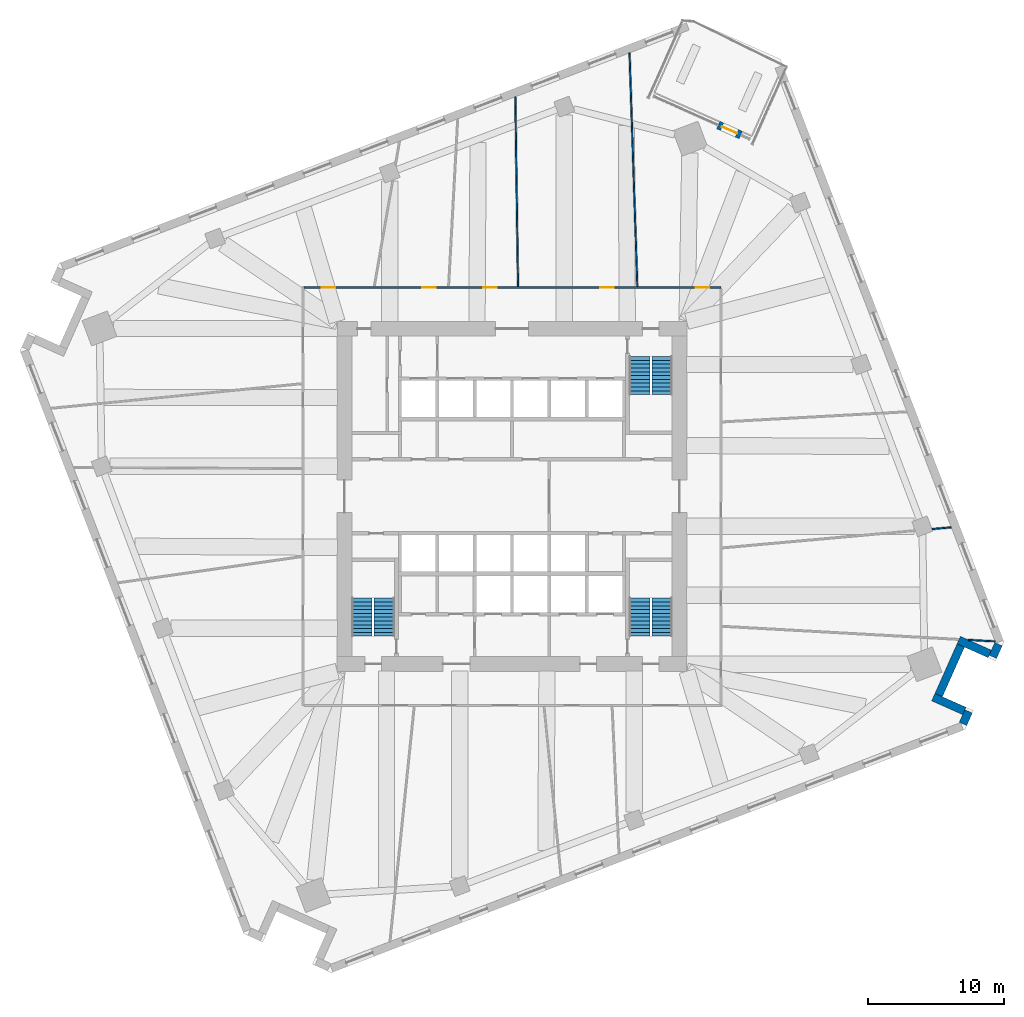
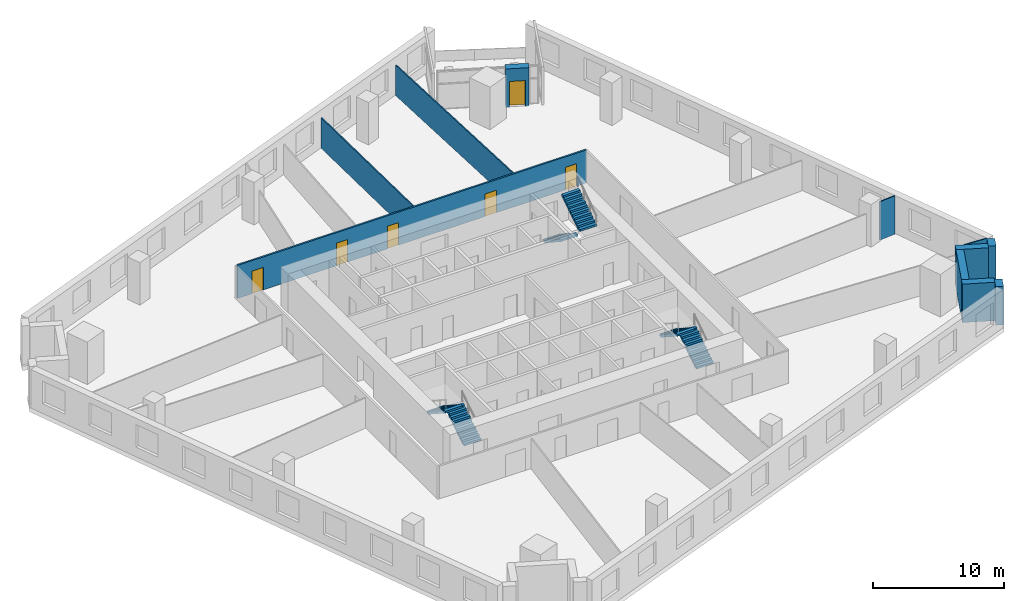
# One storey, part 12 of 14: 11 walls, 6 doors, 6 stair flights, 6 openings, 3 elements without a shape of their own.
"""IFC4 building model written with IfcOpenShell, lengths in metres."""

from ifc_helpers import new_model, si_unit, direction, frame, frame_2d, origin, place, context, subcontext, project, spatial, polyline, rectangle, outline, extrude, material, layer, layer_set, type_object, element, fill, aggregate, save


model = new_model("IFC4")

# Units and contexts
model_context = context("Model", 3, precision=1e-05, world=origin(), true_north=direction((0.0, 1.0)))
body_context = subcontext(model_context, "Body", "Model", "MODEL_VIEW")
ifc_project = project(units=[si_unit("LENGTHUNIT", "METRE"), si_unit("AREAUNIT", "SQUARE_METRE"), si_unit("VOLUMEUNIT", "CUBIC_METRE"), si_unit("PLANEANGLEUNIT", "RADIAN"), si_unit("MASSUNIT", "GRAM", prefix="KILO")], contexts=[model_context])

# Site, building, storey
site_placement = place(None, origin())
site = spatial("IfcSite", under=ifc_project, at=site_placement, CompositionType="ELEMENT")
building_placement = place(site_placement, origin())
building = spatial("IfcBuilding", under=site, at=building_placement, Name="Dilmun Exchange Tower", CompositionType="ELEMENT")
storey_placement = place(building_placement, frame((0.0, 0.0, 106.10009765625)))
storey = spatial("IfcBuildingStorey", under=building, at=storey_placement, Name="L24", CompositionType="ELEMENT", Elevation=106.10009765625)

# Wall, openings, doors
ifc_material_1 = material(Name="Corridor wall 150")
ifc_layer_1 = layer(ifc_material_1, 0.14990234375)
ifc_layer_set_1 = layer_set([ifc_layer_1], Name="Corridor wall 150")
wall_type_1 = type_object("IfcWallType", Name="Corridor wall 150", PredefinedType="PARTITIONING", material=ifc_layer_set_1)
wall_1_placement = place(storey_placement, frame((-15.324951171875, 15.39990234375, 0.0), z_axis=(0.0, 0.0, 1.0), x_axis=(1.0, 0.0, 0.0)))
wall_1 = element("IfcWall", 1, at=wall_1_placement, inside=storey, type_object=wall_type_1, Name="Corridor wall", PredefinedType="PARTITIONING", context=body_context, shape_type="SweptSolid", body=[
    extrude(rectangle(XDim=30.724853515625, YDim=0.14990234375, at=frame_2d((15.3623046875, 0.0))), origin(), (0.0, 0.0, 1.0), 3.079833984375),
])
opening_1_placement = place(wall_1_placement, frame((1.300048828125, 0.0, 0.0)))
opening_1 = element("IfcOpeningElement", 2, at=opening_1_placement, cuts=wall_1, Name="Opening TF23-D04", PredefinedType="OPENING", context=body_context, shape_type="SweptSolid", body=[
    extrude(rectangle(XDim=1.0, YDim=2.10009765625, at=frame_2d((0.5, 1.050048828125))), frame((0.0, 0.0849609375, 0.0), z_axis=(0.0, -1.0, 0.0), x_axis=(1.0, 0.0, 0.0)), (0.0, 0.0, 1.0), 0.169921875),
])
opening_2_placement = place(wall_1_placement, frame((8.717041015625, 0.0, 0.0)))
opening_2 = element("IfcOpeningElement", 3, at=opening_2_placement, cuts=wall_1, Name="Opening TF23-D07", PredefinedType="OPENING", context=body_context, shape_type="SweptSolid", body=[
    extrude(rectangle(XDim=1.0, YDim=2.10009765625, at=frame_2d((0.5, 1.050048828125))), frame((0.0, 0.0849609375, 0.0), z_axis=(0.0, -1.0, 0.0), x_axis=(1.0, 0.0, 0.0)), (0.0, 0.0, 1.0), 0.169921875),
])
opening_3_placement = place(wall_1_placement, frame((13.198486328125, 0.0, 0.0)))
opening_3 = element("IfcOpeningElement", 4, at=opening_3_placement, cuts=wall_1, Name="Opening TF23-D10", PredefinedType="OPENING", context=body_context, shape_type="SweptSolid", body=[
    extrude(rectangle(XDim=1.0, YDim=2.10009765625, at=frame_2d((0.5, 1.050048828125))), frame((0.0, 0.0849609375, 0.0), z_axis=(0.0, -1.0, 0.0), x_axis=(1.0, 0.0, 0.0)), (0.0, 0.0, 1.0), 0.169921875),
])
opening_4_placement = place(wall_1_placement, frame((21.818115234375, 0.0, 0.0)))
opening_4 = element("IfcOpeningElement", 5, at=opening_4_placement, cuts=wall_1, Name="Opening TF23-D11", PredefinedType="OPENING", context=body_context, shape_type="SweptSolid", body=[
    extrude(rectangle(XDim=1.0, YDim=2.10009765625, at=frame_2d((0.5, 1.050048828125))), frame((0.0, 0.0849609375, 0.0), z_axis=(0.0, -1.0, 0.0), x_axis=(1.0, 0.0, 0.0)), (0.0, 0.0, 1.0), 0.169921875),
])
opening_5_placement = place(wall_1_placement, frame((28.86083984375, 0.0, 0.0)))
opening_5 = element("IfcOpeningElement", 6, at=opening_5_placement, cuts=wall_1, Name="Opening TF23-D14", PredefinedType="OPENING", context=body_context, shape_type="SweptSolid", body=[
    extrude(rectangle(XDim=1.0, YDim=2.10009765625, at=frame_2d((0.5, 1.050048828125))), frame((0.0, 0.0849609375, 0.0), z_axis=(0.0, -1.0, 0.0), x_axis=(1.0, 0.0, 0.0)), (0.0, 0.0, 1.0), 0.169921875),
])
ifc_material_2 = material(Name="Fire door 1000 x 2100")
door_type_1 = type_object("IfcDoorType", Name="Fire door 1000 x 2100", OperationType="NOTDEFINED", PredefinedType="DOOR", material=ifc_material_2)
door_1_placement = place(opening_1_placement, origin())
door_1 = element("IfcDoor", 7, at=door_1_placement, inside=storey, type_object=door_type_1, Name="Door TF23-D04", OperationType="SINGLE_SWING_RIGHT", OverallHeight=2.10009765625, OverallWidth=1.0, PredefinedType="DOOR", context=body_context, shape_type="SweptSolid", body=[
    extrude(rectangle(XDim=1.0, YDim=2.10009765625, at=frame_2d((0.5, 1.050048828125))), frame((0.0, 0.02490234375, 0.0), z_axis=(0.0, -1.0, 0.0), x_axis=(1.0, 0.0, 0.0)), (0.0, 0.0, 1.0), 0.050048828125),
])
fill(opening_1, door_1)
door_2_placement = place(opening_2_placement, origin())
door_2 = element("IfcDoor", 8, at=door_2_placement, inside=storey, type_object=door_type_1, Name="Door TF23-D07", OperationType="SINGLE_SWING_LEFT", OverallHeight=2.10009765625, OverallWidth=1.0, PredefinedType="DOOR", context=body_context, shape_type="SweptSolid", body=[
    extrude(rectangle(XDim=1.0, YDim=2.10009765625, at=frame_2d((0.5, 1.050048828125))), frame((0.0, 0.02490234375, 0.0), z_axis=(0.0, -1.0, 0.0), x_axis=(1.0, 0.0, 0.0)), (0.0, 0.0, 1.0), 0.050048828125),
])
fill(opening_2, door_2)
door_3_placement = place(opening_3_placement, origin())
door_3 = element("IfcDoor", 9, at=door_3_placement, inside=storey, type_object=door_type_1, Name="Door TF23-D10", OperationType="SINGLE_SWING_LEFT", OverallHeight=2.10009765625, OverallWidth=1.0, PredefinedType="DOOR", context=body_context, shape_type="SweptSolid", body=[
    extrude(rectangle(XDim=1.0, YDim=2.10009765625, at=frame_2d((0.5, 1.050048828125))), frame((0.0, 0.02490234375, 0.0), z_axis=(0.0, -1.0, 0.0), x_axis=(1.0, 0.0, 0.0)), (0.0, 0.0, 1.0), 0.050048828125),
])
fill(opening_3, door_3)
door_4_placement = place(opening_4_placement, origin())
door_4 = element("IfcDoor", 10, at=door_4_placement, inside=storey, type_object=door_type_1, Name="Door TF23-D11", OperationType="SINGLE_SWING_LEFT", OverallHeight=2.10009765625, OverallWidth=1.0, PredefinedType="DOOR", context=body_context, shape_type="SweptSolid", body=[
    extrude(rectangle(XDim=1.0, YDim=2.10009765625, at=frame_2d((0.5, 1.050048828125))), frame((0.0, 0.02490234375, 0.0), z_axis=(0.0, -1.0, 0.0), x_axis=(1.0, 0.0, 0.0)), (0.0, 0.0, 1.0), 0.050048828125),
])
fill(opening_4, door_4)
door_5_placement = place(opening_5_placement, origin())
door_5 = element("IfcDoor", 11, at=door_5_placement, inside=storey, type_object=door_type_1, Name="Door TF23-D14", OperationType="SINGLE_SWING_LEFT", OverallHeight=2.10009765625, OverallWidth=1.0, PredefinedType="DOOR", context=body_context, shape_type="SweptSolid", body=[
    extrude(rectangle(XDim=1.0, YDim=2.10009765625, at=frame_2d((0.5, 1.050048828125))), frame((0.0, 0.02490234375, 0.0), z_axis=(0.0, -1.0, 0.0), x_axis=(1.0, 0.0, 0.0)), (0.0, 0.0, 1.0), 0.050048828125),
])
fill(opening_5, door_5)

# Walls
ifc_material_3 = material(Name="Partition 100")
ifc_layer_2 = layer(ifc_material_3, 0.10009765625)
ifc_layer_set_2 = layer_set([ifc_layer_2], Name="Partition 100")
wall_type_2 = type_object("IfcWallType", Name="Partition 100", PredefinedType="PARTITIONING", material=ifc_layer_set_2)
wall_2_placement = place(storey_placement, frame((0.244140625, 29.44091796875, 0.0), z_axis=(0.0, 0.0, 1.0), x_axis=(0.014228831068, -0.999898765059, 0.0)))
element("IfcWall", 12, at=wall_2_placement, inside=storey, type_object=wall_type_2, Name="Partition", PredefinedType="PARTITIONING", context=body_context, shape_type="SweptSolid", body=[
    extrude(rectangle(XDim=13.966796875, YDim=0.10009765625, at=frame_2d((6.9833984375, 0.0))), origin(), (0.0, 0.0, 1.0), 2.829833984375),
])
wall_3_placement = place(storey_placement, frame((8.658203125, 32.6708984375, 0.0), z_axis=(0.0, 0.0, 1.0), x_axis=(0.033491076988, -0.99943901653, 0.0)))
element("IfcWall", 13, at=wall_3_placement, inside=storey, type_object=wall_type_2, Name="Partition", PredefinedType="PARTITIONING", context=body_context, shape_type="SweptSolid", body=[
    extrude(rectangle(XDim=17.203857421875, YDim=0.10009765625, at=frame_2d((8.60205078125, 0.0))), origin(), (0.0, 0.0, 1.0), 2.829833984375),
])
wall_4_placement = place(storey_placement, frame((30.947265625, -2.408203125, 0.0), z_axis=(0.0, 0.0, 1.0), x_axis=(0.995999359609, 0.089360369615, 0.0)))
element("IfcWall", 14, at=wall_4_placement, inside=storey, type_object=wall_type_2, Name="Partition", PredefinedType="PARTITIONING", context=body_context, shape_type="SweptSolid", body=[
    extrude(rectangle(XDim=1.42333984375, YDim=0.10009765625, at=frame_2d((0.711669921875, 0.0))), origin(), (0.0, 0.0, 1.0), 3.579833984375),
])
wall_5_placement = place(storey_placement, frame((33.628173828125, -10.575927734375, 0.0), z_axis=(0.0, 0.0, 1.0), x_axis=(0.998471795395, -0.055263675243, 0.0)))
element("IfcWall", 15, at=wall_5_placement, inside=storey, type_object=wall_type_2, Name="Partition", PredefinedType="PARTITIONING", context=body_context, shape_type="SweptSolid", body=[
    extrude(rectangle(XDim=1.9658203125, YDim=0.10009765625, at=frame_2d((0.98291015625, 0.0))), origin(), (0.0, 0.0, 1.0), 3.579833984375),
])
ifc_material_4 = material(Name="Precast concrete C50/60", Category="concrete")
ifc_layer_3 = layer(ifc_material_4, 0.60009765625)
ifc_layer_set_3 = layer_set([ifc_layer_3], Name="Precast concrete C50/60")
wall_type_3 = type_object("IfcWallType", Name="Precast stone-clad wall 600", PredefinedType="STANDARD", material=ifc_layer_set_3)
wall_6_placement = place(storey_placement, frame((33.231689453125, -16.7626953125, 0.0), z_axis=(0.0, 0.0, 1.0), x_axis=(0.406877680738, 0.913482650583, 0.0)))
element("IfcWall", 16, at=wall_6_placement, inside=storey, type_object=wall_type_3, Name="Facade wall L24-16", PredefinedType="STANDARD", context=body_context, shape_type="SweptSolid", body=[
    extrude(rectangle(XDim=1.010986328125, YDim=0.60009765625, at=frame_2d((0.50537109375, 0.0))), origin(), (0.0, 0.0, 1.0), 3.579833984375),
])
wall_7_placement = place(storey_placement, frame((33.328125, -15.808349609375, 0.0), z_axis=(0.0, 0.0, 1.0), x_axis=(-0.913533450149, 0.406763611276, 0.0)))
element("IfcWall", 17, at=wall_7_placement, inside=storey, type_object=wall_type_3, Name="Facade wall L24-17", PredefinedType="STANDARD", context=body_context, shape_type="SweptSolid", body=[
    extrude(rectangle(XDim=2.499755859375, YDim=0.60009765625, at=frame_2d((1.25, 0.0))), origin(), (0.0, 0.0, 1.0), 3.579833984375),
])
wall_8_placement = place(storey_placement, frame((31.4404296875, -14.639404296875, 0.0), z_axis=(0.0, 0.0, 1.0), x_axis=(0.406727323635, 0.913549606868, 0.0)))
element("IfcWall", 18, at=wall_8_placement, inside=storey, type_object=wall_type_3, Name="Facade wall L24-18", PredefinedType="STANDARD", context=body_context, shape_type="SweptSolid", body=[
    extrude(rectangle(XDim=4.0, YDim=0.60009765625, at=frame_2d((2.0, 0.0))), origin(), (0.0, 0.0, 1.0), 3.579833984375),
])
wall_9_placement = place(storey_placement, frame((32.915283203125, -10.589111328125, 0.0), z_axis=(0.0, 0.0, 1.0), x_axis=(0.913549606868, -0.406727323635, 0.0)))
element("IfcWall", 19, at=wall_9_placement, inside=storey, type_object=wall_type_3, Name="Facade wall L24-19", PredefinedType="STANDARD", context=body_context, shape_type="SweptSolid", body=[
    extrude(rectangle(XDim=2.5, YDim=0.60009765625, at=frame_2d((1.25, 0.0))), origin(), (0.0, 0.0, 1.0), 3.579833984375),
])
wall_10_placement = place(storey_placement, frame((35.4326171875, -11.8193359375, 0.0), z_axis=(0.0, 0.0, 1.0), x_axis=(0.406787949875, 0.913522612657, 0.0)))
element("IfcWall", 20, at=wall_10_placement, inside=storey, type_object=wall_type_3, Name="Facade wall L24-20", PredefinedType="STANDARD", context=body_context, shape_type="SweptSolid", body=[
    extrude(rectangle(XDim=1.01123046875, YDim=0.60009765625, at=frame_2d((0.505615234375, 0.0))), origin(), (0.0, 0.0, 1.0), 3.579833984375),
])

# Wall, opening, door
wall_11_placement = place(storey_placement, frame((16.850341796875, 26.625, 0.0), z_axis=(0.0, 0.0, 1.0), x_axis=(-0.913598891005, 0.406616608556, 0.0)))
wall_11 = element("IfcWall", 21, at=wall_11_placement, inside=storey, type_object=wall_type_3, Name="Facade wall L24-01-D", PredefinedType="STANDARD", context=body_context, shape_type="SweptSolid", body=[
    extrude(rectangle(XDim=1.800048828125, YDim=0.60009765625, at=frame_2d((0.89990234375, 0.0))), origin(), (0.0, 0.0, 1.0), 3.579833984375),
])
opening_6_placement = place(wall_11_placement, frame((0.300048828125, 0.0, 0.0)))
opening_6 = element("IfcOpeningElement", 22, at=opening_6_placement, cuts=wall_11, Name="Opening GD-1", PredefinedType="OPENING", context=body_context, shape_type="SweptSolid", body=[
    extrude(rectangle(XDim=1.199951171875, YDim=2.39990234375, at=frame_2d((0.60009765625, 1.199951171875))), frame((0.0, 0.31005859375, 0.0), z_axis=(0.0, -1.0, 0.0), x_axis=(1.0, 0.0, 0.0)), (0.0, 0.0, 1.0), 0.6201171875),
])
ifc_material_5 = material(Name="Clear low-emissivity glass in aluminium frame", Category="aluminium")
door_type_2 = type_object("IfcDoorType", Name="Glazed garden door 1200 x 2400", OperationType="SINGLE_SWING_LEFT", PredefinedType="DOOR", material=ifc_material_5)
door_6_placement = place(opening_6_placement, origin())
door_6 = element("IfcDoor", 23, at=door_6_placement, inside=storey, type_object=door_type_2, Name="Garden terrace door", OperationType="SINGLE_SWING_LEFT", OverallHeight=2.39990234375, OverallWidth=1.199951171875, PredefinedType="DOOR", context=body_context, shape_type="SweptSolid", body=[
    extrude(rectangle(XDim=1.199951171875, YDim=2.39990234375, at=frame_2d((0.60009765625, 1.199951171875))), frame((0.0, 0.02490234375, 0.0), z_axis=(0.0, -1.0, 0.0), x_axis=(1.0, 0.0, 0.0)), (0.0, 0.0, 1.0), 0.050048828125),
])
fill(opening_6, door_6)

# Stair, stair flights
ifc_material_6 = material(Name="Concrete C40/50", Category="concrete")
stair_type = type_object("IfcStairType", Name="Exit stair 1500 half-turn", PredefinedType="HALF_TURN_STAIR", material=ifc_material_6)
stair_1_placement = place(storey_placement, origin())
stair_1 = element("IfcStair", 24, at=stair_1_placement, inside=storey, type_object=stair_type, Name="L24 Protected exit stair ST1", PredefinedType="HALF_TURN_STAIR")
stair_flight_type = type_object("IfcStairFlightType", Name="Exit stair flight 1500", PredefinedType="STRAIGHT", material=ifc_material_6)
stair_flight_1_placement = place(storey_placement, frame((9.39990234375, 10.300048828125, 0.0), z_axis=(0.0, 0.0, 1.0), x_axis=(0.0, -1.0, 0.0)))
stair_flight_1 = element("IfcStairFlight", 25, at=stair_flight_1_placement, type_object=stair_flight_type, Name="ST1 flight 1", NumberOfRisers=11, NumberOfTreads=10, PredefinedType="STRAIGHT", RiserHeight=0.181818182, TreadLength=0.28, context=body_context, shape_type="SweptSolid", body=[
    extrude(outline(polyline([(0.0, 0.0), (0.0, 0.181884765625), (0.280029296875, 0.181884765625), (0.280029296875, 0.363525390625), (0.56005859375, 0.363525390625), (0.56005859375, 0.54541015625), (0.840087890625, 0.54541015625), (0.840087890625, 0.727294921875), (1.1201171875, 0.727294921875), (1.1201171875, 0.9091796875), (1.39990234375, 0.9091796875), (1.39990234375, 1.0908203125), (1.679931640625, 1.0908203125), (1.679931640625, 1.272705078125), (1.9599609375, 1.272705078125), (1.9599609375, 1.45458984375), (2.239990234375, 1.45458984375), (2.239990234375, 1.636474609375), (2.52001953125, 1.636474609375), (2.52001953125, 1.818115234375), (2.800048828125, 1.818115234375), (2.800048828125, 2.0), (2.800048828125, 1.639404296875), (0.275146484375, 0.0), (0.0, 0.0)])), frame((0.0, 0.75, 0.0), z_axis=(0.0, -1.0, 0.0), x_axis=(1.0, 0.0, 0.0)), (0.0, 0.0, 1.0), 1.5),
])
stair_flight_2_placement = place(storey_placement, frame((11.050048828125, 7.5, 2.0), z_axis=(0.0, 0.0, 1.0), x_axis=(0.0, 1.0, 0.0)))
stair_flight_2 = element("IfcStairFlight", 26, at=stair_flight_2_placement, type_object=stair_flight_type, Name="ST1 flight 2", NumberOfRisers=11, NumberOfTreads=10, PredefinedType="STRAIGHT", RiserHeight=0.181818182, TreadLength=0.28, context=body_context, shape_type="SweptSolid", body=[
    extrude(outline(polyline([(0.0, 0.0), (0.0, 0.181884765625), (0.280029296875, 0.181884765625), (0.280029296875, 0.363525390625), (0.56005859375, 0.363525390625), (0.56005859375, 0.54541015625), (0.840087890625, 0.54541015625), (0.840087890625, 0.727294921875), (1.1201171875, 0.727294921875), (1.1201171875, 0.9091796875), (1.39990234375, 0.9091796875), (1.39990234375, 1.0908203125), (1.679931640625, 1.0908203125), (1.679931640625, 1.272705078125), (1.9599609375, 1.272705078125), (1.9599609375, 1.45458984375), (2.239990234375, 1.45458984375), (2.239990234375, 1.636474609375), (2.52001953125, 1.636474609375), (2.52001953125, 1.818115234375), (2.800048828125, 1.818115234375), (2.800048828125, 2.0), (2.800048828125, 1.639404296875), (0.275146484375, 0.0), (0.0, 0.0)])), frame((0.0, 0.75, 0.0), z_axis=(0.0, -1.0, 0.0), x_axis=(1.0, 0.0, 0.0)), (0.0, 0.0, 1.0), 1.5),
])
aggregate(stair_1, [stair_flight_1, stair_flight_2])

stair_2_placement = place(storey_placement, origin())
stair_2 = element("IfcStair", 27, at=stair_2_placement, inside=storey, type_object=stair_type, Name="L24 Protected exit stair ST2", PredefinedType="HALF_TURN_STAIR")
stair_flight_3_placement = place(storey_placement, frame((-9.39990234375, -10.300048828125, 0.0), z_axis=(0.0, 0.0, 1.0), x_axis=(0.0, 1.0, 0.0)))
stair_flight_3 = element("IfcStairFlight", 28, at=stair_flight_3_placement, type_object=stair_flight_type, Name="ST2 flight 1", NumberOfRisers=11, NumberOfTreads=10, PredefinedType="STRAIGHT", RiserHeight=0.181818182, TreadLength=0.28, context=body_context, shape_type="SweptSolid", body=[
    extrude(outline(polyline([(0.0, 0.0), (0.0, 0.181884765625), (0.280029296875, 0.181884765625), (0.280029296875, 0.363525390625), (0.56005859375, 0.363525390625), (0.56005859375, 0.54541015625), (0.840087890625, 0.54541015625), (0.840087890625, 0.727294921875), (1.1201171875, 0.727294921875), (1.1201171875, 0.9091796875), (1.39990234375, 0.9091796875), (1.39990234375, 1.0908203125), (1.679931640625, 1.0908203125), (1.679931640625, 1.272705078125), (1.9599609375, 1.272705078125), (1.9599609375, 1.45458984375), (2.239990234375, 1.45458984375), (2.239990234375, 1.636474609375), (2.52001953125, 1.636474609375), (2.52001953125, 1.818115234375), (2.800048828125, 1.818115234375), (2.800048828125, 2.0), (2.800048828125, 1.639404296875), (0.275146484375, 0.0), (0.0, 0.0)])), frame((0.0, 0.75, 0.0), z_axis=(0.0, -1.0, 0.0), x_axis=(1.0, 0.0, 0.0)), (0.0, 0.0, 1.0), 1.5),
])
stair_flight_4_placement = place(storey_placement, frame((-11.050048828125, -7.5, 2.0), z_axis=(0.0, 0.0, 1.0), x_axis=(0.0, -1.0, 0.0)))
stair_flight_4 = element("IfcStairFlight", 29, at=stair_flight_4_placement, type_object=stair_flight_type, Name="ST2 flight 2", NumberOfRisers=11, NumberOfTreads=10, PredefinedType="STRAIGHT", RiserHeight=0.181818182, TreadLength=0.28, context=body_context, shape_type="SweptSolid", body=[
    extrude(outline(polyline([(0.0, 0.0), (0.0, 0.181884765625), (0.280029296875, 0.181884765625), (0.280029296875, 0.363525390625), (0.56005859375, 0.363525390625), (0.56005859375, 0.54541015625), (0.840087890625, 0.54541015625), (0.840087890625, 0.727294921875), (1.1201171875, 0.727294921875), (1.1201171875, 0.9091796875), (1.39990234375, 0.9091796875), (1.39990234375, 1.0908203125), (1.679931640625, 1.0908203125), (1.679931640625, 1.272705078125), (1.9599609375, 1.272705078125), (1.9599609375, 1.45458984375), (2.239990234375, 1.45458984375), (2.239990234375, 1.636474609375), (2.52001953125, 1.636474609375), (2.52001953125, 1.818115234375), (2.800048828125, 1.818115234375), (2.800048828125, 2.0), (2.800048828125, 1.639404296875), (0.275146484375, 0.0), (0.0, 0.0)])), frame((0.0, 0.75, 0.0), z_axis=(0.0, -1.0, 0.0), x_axis=(1.0, 0.0, 0.0)), (0.0, 0.0, 1.0), 1.5),
])
aggregate(stair_2, [stair_flight_3, stair_flight_4])

stair_3_placement = place(storey_placement, origin())
stair_3 = element("IfcStair", 30, at=stair_3_placement, inside=storey, type_object=stair_type, Name="L24 Protected exit stair ST3", PredefinedType="HALF_TURN_STAIR")
stair_flight_5_placement = place(storey_placement, frame((11.050048828125, -10.300048828125, 0.0), z_axis=(0.0, 0.0, 1.0), x_axis=(0.0, 1.0, 0.0)))
stair_flight_5 = element("IfcStairFlight", 31, at=stair_flight_5_placement, type_object=stair_flight_type, Name="ST3 flight 1", NumberOfRisers=11, NumberOfTreads=10, PredefinedType="STRAIGHT", RiserHeight=0.181818182, TreadLength=0.28, context=body_context, shape_type="SweptSolid", body=[
    extrude(outline(polyline([(0.0, 0.0), (0.0, 0.181884765625), (0.280029296875, 0.181884765625), (0.280029296875, 0.363525390625), (0.56005859375, 0.363525390625), (0.56005859375, 0.54541015625), (0.840087890625, 0.54541015625), (0.840087890625, 0.727294921875), (1.1201171875, 0.727294921875), (1.1201171875, 0.9091796875), (1.39990234375, 0.9091796875), (1.39990234375, 1.0908203125), (1.679931640625, 1.0908203125), (1.679931640625, 1.272705078125), (1.9599609375, 1.272705078125), (1.9599609375, 1.45458984375), (2.239990234375, 1.45458984375), (2.239990234375, 1.636474609375), (2.52001953125, 1.636474609375), (2.52001953125, 1.818115234375), (2.800048828125, 1.818115234375), (2.800048828125, 2.0), (2.800048828125, 1.639404296875), (0.275146484375, 0.0), (0.0, 0.0)])), frame((0.0, 0.75, 0.0), z_axis=(0.0, -1.0, 0.0), x_axis=(1.0, 0.0, 0.0)), (0.0, 0.0, 1.0), 1.5),
])
stair_flight_6_placement = place(storey_placement, frame((9.39990234375, -7.5, 2.0), z_axis=(0.0, 0.0, 1.0), x_axis=(0.0, -1.0, 0.0)))
stair_flight_6 = element("IfcStairFlight", 32, at=stair_flight_6_placement, type_object=stair_flight_type, Name="ST3 flight 2", NumberOfRisers=11, NumberOfTreads=10, PredefinedType="STRAIGHT", RiserHeight=0.181818182, TreadLength=0.28, context=body_context, shape_type="SweptSolid", body=[
    extrude(outline(polyline([(0.0, 0.0), (0.0, 0.181884765625), (0.280029296875, 0.181884765625), (0.280029296875, 0.363525390625), (0.56005859375, 0.363525390625), (0.56005859375, 0.54541015625), (0.840087890625, 0.54541015625), (0.840087890625, 0.727294921875), (1.1201171875, 0.727294921875), (1.1201171875, 0.9091796875), (1.39990234375, 0.9091796875), (1.39990234375, 1.0908203125), (1.679931640625, 1.0908203125), (1.679931640625, 1.272705078125), (1.9599609375, 1.272705078125), (1.9599609375, 1.45458984375), (2.239990234375, 1.45458984375), (2.239990234375, 1.636474609375), (2.52001953125, 1.636474609375), (2.52001953125, 1.818115234375), (2.800048828125, 1.818115234375), (2.800048828125, 2.0), (2.800048828125, 1.639404296875), (0.275146484375, 0.0), (0.0, 0.0)])), frame((0.0, 0.75, 0.0), z_axis=(0.0, -1.0, 0.0), x_axis=(1.0, 0.0, 0.0)), (0.0, 0.0, 1.0), 1.5),
])
aggregate(stair_3, [stair_flight_5, stair_flight_6])

save(model, "model.ifc")
